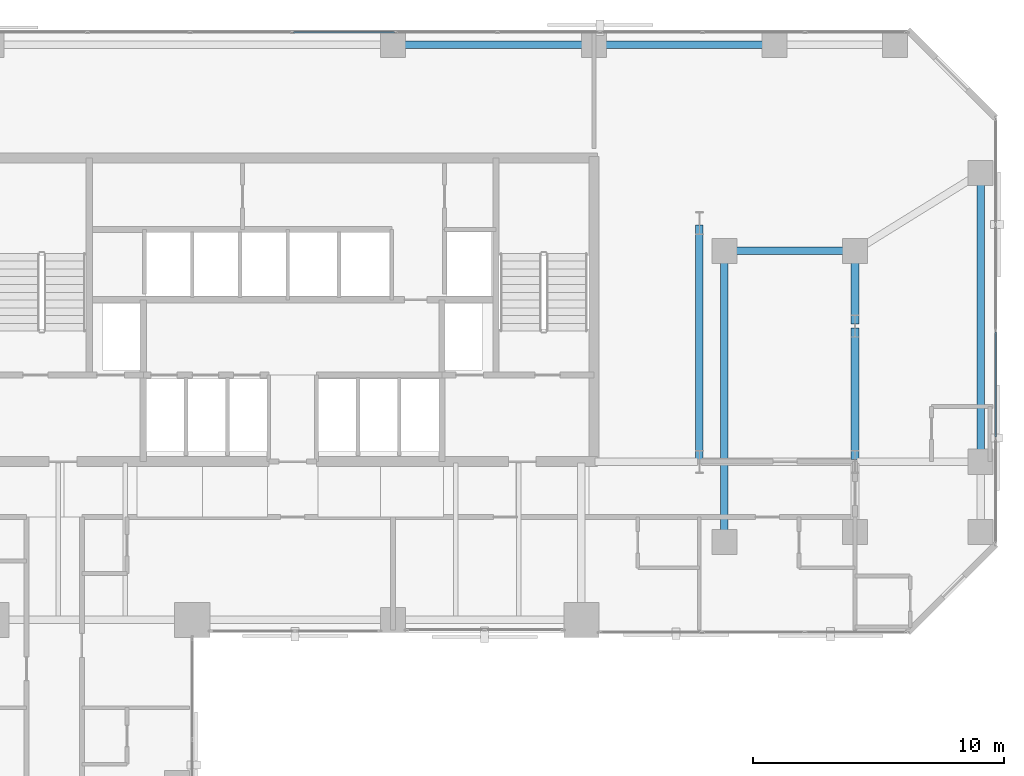
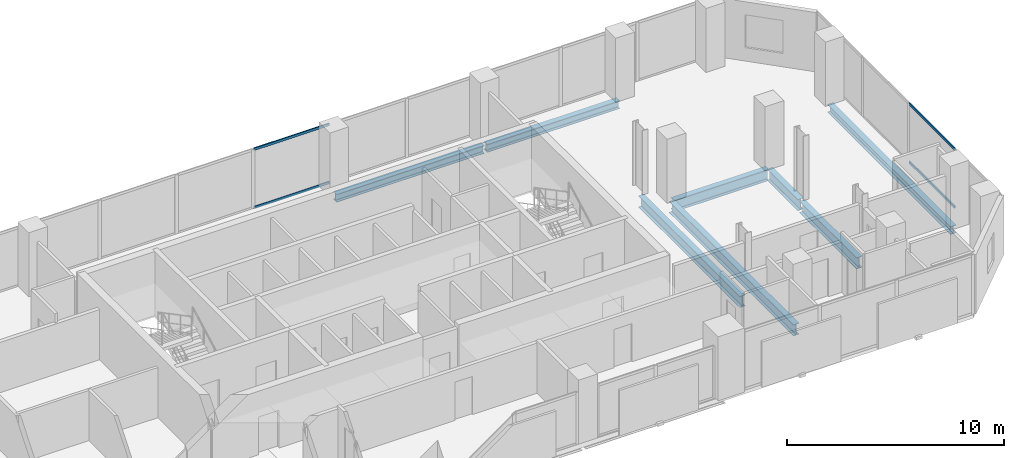
# One storey, part 22 of 31: 8 beams, 4 members, 2 elements without a shape of their own.
"""IFC4 building model written with IfcOpenShell, lengths in metres."""

from ifc_helpers import new_model, si_unit, direction, frame, origin, origin_2d, place, context, subcontext, project, spatial, hollow_rectangle, i_section, extrude, material, layer, layer_set, material_profile, profile_set, type_object, element, aggregate, save


model = new_model("IFC4")

# Units and contexts
model_context = context("Model", 3, precision=1e-05, world=origin(), true_north=direction((0.0, 1.0)))
body_context = subcontext(model_context, "Body", "Model", "MODEL_VIEW")
ifc_project = project(units=[si_unit("LENGTHUNIT", "METRE"), si_unit("AREAUNIT", "SQUARE_METRE"), si_unit("VOLUMEUNIT", "CUBIC_METRE"), si_unit("PLANEANGLEUNIT", "RADIAN"), si_unit("MASSUNIT", "GRAM", prefix="KILO")], contexts=[model_context])

# Site, building, storey
site_placement = place(None, origin())
site = spatial("IfcSite", under=ifc_project, at=site_placement, CompositionType="ELEMENT")
building_placement = place(site_placement, origin())
building = spatial("IfcBuilding", under=site, at=building_placement, Name="Catumbela Crestline Tower", CompositionType="ELEMENT")
storey_placement = place(building_placement, frame((0.0, 0.0, 36.6)))
storey = spatial("IfcBuildingStorey", under=building, at=storey_placement, Name="L08", CompositionType="ELEMENT", Elevation=36.6)

# Beams
ifc_material_1 = material(Name="Structural steel S355J2", Category="steel")
ifc_material_profile_1 = material_profile(ifc_material_1, i_section(OverallWidth=0.3, OverallDepth=0.64, WebThickness=0.0135, FlangeThickness=0.026, FilletRadius=0.027, at=origin_2d()), Name="HEA 650")
ifc_profile_set_1 = profile_set([ifc_material_profile_1], Name="Structural steel S355J2")
beam_type_1 = type_object("IfcBeamType", Name="BG-HEA650", PredefinedType="BEAM", material=ifc_profile_set_1)
beam_1_placement = place(storey_placement, frame((45.28, 39.2, -0.58), z_axis=(1.0, 0.0, 0.0), x_axis=(0.0, 1.0, 0.0)))
element("IfcBeam", 1, at=beam_1_placement, inside=storey, type_object=beam_type_1, Name="L08 Beam BM-L08-N17", PredefinedType="BEAM", context=body_context, shape_type="SweptSolid", body=[
    extrude(i_section(OverallWidth=0.3, OverallDepth=0.64, WebThickness=0.0135, FlangeThickness=0.026, FilletRadius=0.027, at=origin_2d()), origin(), (0.0, 0.0, 1.0), 5.04),
])
beam_2_placement = place(storey_placement, frame((44.2, 30.88, -0.58), z_axis=(0.0, 1.0, 0.0), x_axis=(-1.0, 0.0, 0.0)))
element("IfcBeam", 2, at=beam_2_placement, inside=storey, type_object=beam_type_1, Name="L08 Beam BM-L08-SN35", PredefinedType="BEAM", context=body_context, shape_type="SweptSolid", body=[
    extrude(i_section(OverallWidth=0.3, OverallDepth=0.64, WebThickness=0.0135, FlangeThickness=0.026, FilletRadius=0.027, at=origin_2d()), origin(), (0.0, 0.0, 1.0), 9.34),
])
beam_3_placement = place(storey_placement, frame((45.2, 27.68, -0.58), z_axis=(0.0, 1.0, 0.0), x_axis=(-1.0, 0.0, 0.0)))
element("IfcBeam", 3, at=beam_3_placement, inside=storey, type_object=beam_type_1, Name="L08 Beam BM-L08-SN36", PredefinedType="BEAM", context=body_context, shape_type="SweptSolid", body=[
    extrude(i_section(OverallWidth=0.3, OverallDepth=0.64, WebThickness=0.0135, FlangeThickness=0.026, FilletRadius=0.027, at=origin_2d()), origin(), (0.0, 0.0, 1.0), 11.44),
])
beam_4_placement = place(storey_placement, frame((50.4, 30.88, -0.58), z_axis=(0.0, 1.0, 0.0), x_axis=(-1.0, 0.0, 0.0)))
element("IfcBeam", 4, at=beam_4_placement, inside=storey, type_object=beam_type_1, Name="L08 Beam BM-L08-SN38", PredefinedType="BEAM", context=body_context, shape_type="SweptSolid", body=[
    extrude(i_section(OverallWidth=0.3, OverallDepth=0.64, WebThickness=0.0135, FlangeThickness=0.026, FilletRadius=0.027, at=origin_2d()), origin(), (0.0, 0.0, 1.0), 5.24),
])
beam_5_placement = place(storey_placement, frame((50.4, 36.28, -0.58), z_axis=(0.0, 1.0, 0.0), x_axis=(-1.0, 0.0, 0.0)))
element("IfcBeam", 5, at=beam_5_placement, inside=storey, type_object=beam_type_1, Name="L08 Beam BM-L08-SN39", PredefinedType="BEAM", context=body_context, shape_type="SweptSolid", body=[
    extrude(i_section(OverallWidth=0.3, OverallDepth=0.64, WebThickness=0.0135, FlangeThickness=0.026, FilletRadius=0.027, at=origin_2d()), origin(), (0.0, 0.0, 1.0), 2.84),
])
ifc_material_profile_2 = material_profile(ifc_material_1, i_section(OverallWidth=0.3, OverallDepth=0.45, WebThickness=0.014, FlangeThickness=0.026, FilletRadius=0.027, at=origin_2d()), Name="HEB 450")
ifc_profile_set_2 = profile_set([ifc_material_profile_2], Name="Structural steel S355J2")
beam_type_2 = type_object("IfcBeamType", Name="BS-HEB450", PredefinedType="SPANDREL", material=ifc_profile_set_2)
beam_6_placement = place(storey_placement, frame((32.08, 47.4, -0.485), z_axis=(1.0, 0.0, 0.0), x_axis=(0.0, 1.0, 0.0)))
element("IfcBeam", 6, at=beam_6_placement, inside=storey, type_object=beam_type_2, Name="L08 Spandrel SP-L08-NF22", PredefinedType="SPANDREL", context=body_context, shape_type="SweptSolid", body=[
    extrude(i_section(OverallWidth=0.3, OverallDepth=0.45, WebThickness=0.014, FlangeThickness=0.026, FilletRadius=0.027, at=origin_2d()), origin(), (0.0, 0.0, 1.0), 7.84),
])
beam_7_placement = place(storey_placement, frame((40.08, 47.4, -0.485), z_axis=(1.0, 0.0, 0.0), x_axis=(0.0, 1.0, 0.0)))
element("IfcBeam", 7, at=beam_7_placement, inside=storey, type_object=beam_type_2, Name="L08 Spandrel SP-L08-NF23", PredefinedType="SPANDREL", context=body_context, shape_type="SweptSolid", body=[
    extrude(i_section(OverallWidth=0.3, OverallDepth=0.45, WebThickness=0.014, FlangeThickness=0.026, FilletRadius=0.027, at=origin_2d()), origin(), (0.0, 0.0, 1.0), 7.04),
])
beam_8_placement = place(storey_placement, frame((55.4, 30.88, -0.485), z_axis=(0.0, 1.0, 0.0), x_axis=(-1.0, 0.0, 0.0)))
element("IfcBeam", 8, at=beam_8_placement, inside=storey, type_object=beam_type_2, Name="L08 Spandrel SP-L08-SN41", PredefinedType="SPANDREL", context=body_context, shape_type="SweptSolid", body=[
    extrude(i_section(OverallWidth=0.3, OverallDepth=0.45, WebThickness=0.014, FlangeThickness=0.026, FilletRadius=0.027, at=origin_2d()), origin(), (0.0, 0.0, 1.0), 11.34),
])

# Curtain wall, members
ifc_material_2 = material(Name="Aluminium alloy AW-6060-T66", Category="aluminium")
ifc_layer = layer(ifc_material_2, 0.18, Name="Aluminium alloy AW-6060-T66")
ifc_layer_set = layer_set([ifc_layer], Name="Aluminium alloy AW-6060-T66")
curtain_wall_type = type_object("IfcCurtainWallType", Name="CWU-Z1", PredefinedType="USERDEFINED", material=ifc_layer_set)
curtain_wall_1_placement = place(storey_placement, origin())
curtain_wall_1 = element("IfcCurtainWall", 9, at=curtain_wall_1_placement, inside=storey, type_object=curtain_wall_type, Name="L08 Unitised Curtain Wall CW-L08-E5S1", ObjectType="UNITISED", PredefinedType="USERDEFINED")
ifc_material_profile_3 = material_profile(ifc_material_2, hollow_rectangle(XDim=0.06, YDim=0.14, WallThickness=0.004, at=origin_2d()), Name="ALU 140x60x4")
ifc_profile_set_3 = profile_set([ifc_material_profile_3], Name="Aluminium alloy AW-6060-T66")
member_type = type_object("IfcMemberType", Name="TRN-140X60", PredefinedType="USERDEFINED", material=ifc_profile_set_3)
member_1_placement = place(storey_placement, frame((56.0, 31.7825, 0.03), z_axis=(0.0, 1.0, 0.0), x_axis=(-1.0, 0.0, 0.0)))
member_1 = element("IfcMember", 10, at=member_1_placement, type_object=member_type, Name="CWU-Z1 transom 2.1", ObjectType="TRANSOM", PredefinedType="USERDEFINED", context=body_context, shape_type="SweptSolid", body=[
    extrude(hollow_rectangle(XDim=0.06, YDim=0.14, WallThickness=0.004, at=origin_2d()), origin(), (0.0, 0.0, 1.0), 4.185),
])
member_2_placement = place(storey_placement, frame((56.0, 31.7825, 3.3), z_axis=(0.0, 1.0, 0.0), x_axis=(-1.0, 0.0, 0.0)))
member_2 = element("IfcMember", 11, at=member_2_placement, type_object=member_type, Name="CWU-Z1 transom 2.2", ObjectType="TRANSOM", PredefinedType="USERDEFINED", context=body_context, shape_type="SweptSolid", body=[
    extrude(hollow_rectangle(XDim=0.06, YDim=0.14, WallThickness=0.004, at=origin_2d()), origin(), (0.0, 0.0, 1.0), 4.185),
])
aggregate(curtain_wall_1, [member_1, member_2])

curtain_wall_2_placement = place(storey_placement, origin())
curtain_wall_2 = element("IfcCurtainWall", 12, at=curtain_wall_2_placement, inside=storey, type_object=curtain_wall_type, Name="L08 Unitised Curtain Wall CW-L08-E7S1", ObjectType="UNITISED", PredefinedType="USERDEFINED")
member_3_placement = place(storey_placement, frame((32.0508, 47.9, 0.03), z_axis=(-1.0, 0.0, 0.0), x_axis=(0.0, -1.0, 0.0)))
member_3 = element("IfcMember", 13, at=member_3_placement, type_object=member_type, Name="CWU-Z1 transom 6.1", ObjectType="TRANSOM", PredefinedType="USERDEFINED", context=body_context, shape_type="SweptSolid", body=[
    extrude(hollow_rectangle(XDim=0.06, YDim=0.14, WallThickness=0.004, at=origin_2d()), origin(), (0.0, 0.0, 1.0), 4.0183),
])
member_4_placement = place(storey_placement, frame((32.0508, 47.9, 3.3), z_axis=(-1.0, 0.0, 0.0), x_axis=(0.0, -1.0, 0.0)))
member_4 = element("IfcMember", 14, at=member_4_placement, type_object=member_type, Name="CWU-Z1 transom 6.2", ObjectType="TRANSOM", PredefinedType="USERDEFINED", context=body_context, shape_type="SweptSolid", body=[
    extrude(hollow_rectangle(XDim=0.06, YDim=0.14, WallThickness=0.004, at=origin_2d()), origin(), (0.0, 0.0, 1.0), 4.0183),
])
aggregate(curtain_wall_2, [member_3, member_4])

save(model, "model.ifc")
